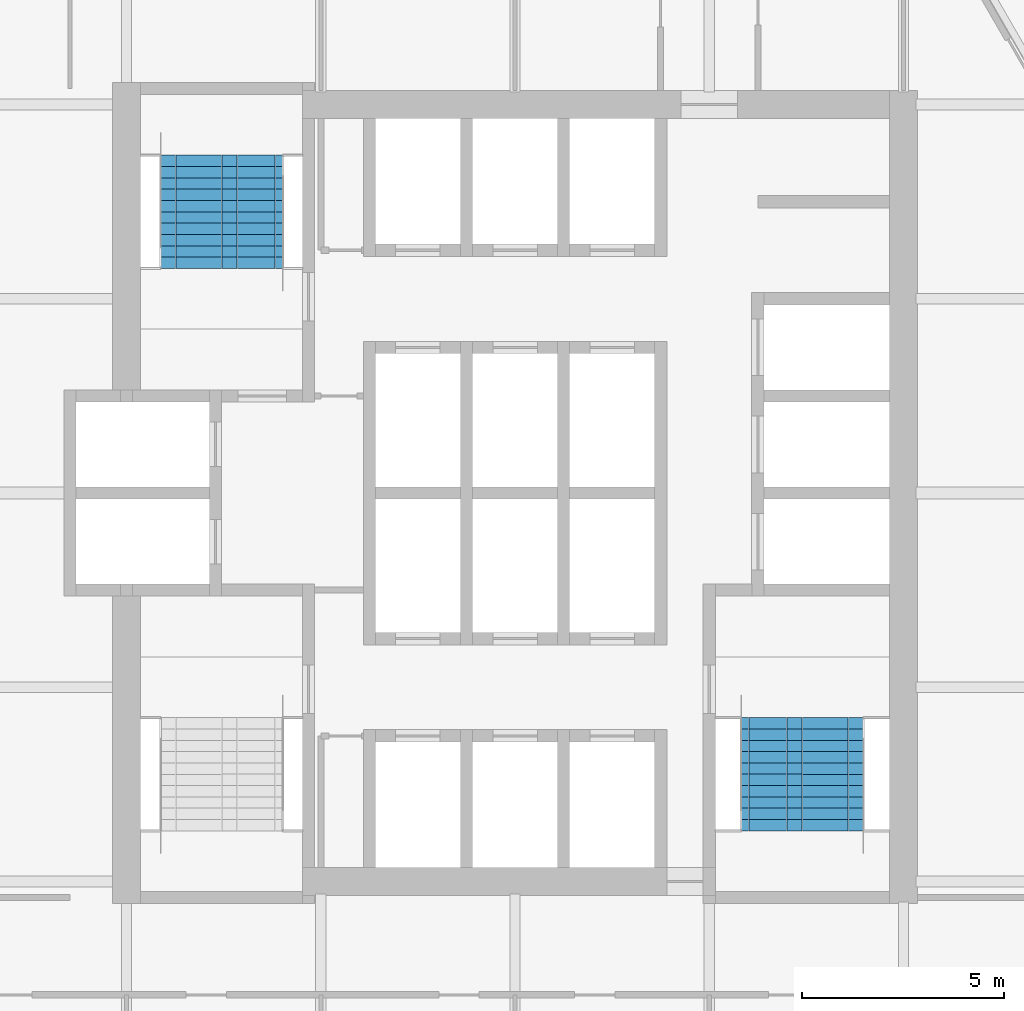
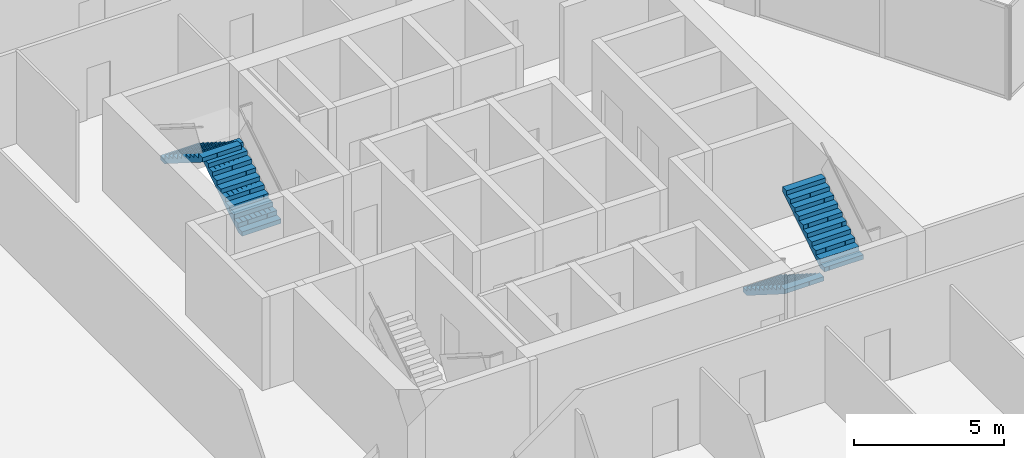
# One storey, part 15 of 17: 4 stair flights, 2 elements without a shape of their own.
"""IFC4 building model written with IfcOpenShell, lengths in metres."""

from ifc_helpers import new_model, si_unit, direction, frame, origin, place, context, subcontext, project, spatial, polyline, outline, extrude, material, type_object, element, aggregate, save


model = new_model("IFC4")

# Units and contexts
model_context = context("Model", 3, precision=1e-05, world=origin(), true_north=direction((0.0, 1.0)))
body_context = subcontext(model_context, "Body", "Model", "MODEL_VIEW")
ifc_project = project(units=[si_unit("LENGTHUNIT", "METRE"), si_unit("AREAUNIT", "SQUARE_METRE"), si_unit("VOLUMEUNIT", "CUBIC_METRE"), si_unit("PLANEANGLEUNIT", "RADIAN"), si_unit("MASSUNIT", "GRAM", prefix="KILO")], contexts=[model_context])

# Site, building, storey
site_placement = place(None, origin())
site = spatial("IfcSite", under=ifc_project, at=site_placement, CompositionType="ELEMENT")
building_placement = place(site_placement, origin())
building = spatial("IfcBuilding", under=site, at=building_placement, Name="Kolab Exchange Tower", CompositionType="ELEMENT")
storey_placement = place(building_placement, frame((0.0, 0.0, 181.699951171875)))
storey = spatial("IfcBuildingStorey", under=building, at=storey_placement, Name="L38", CompositionType="ELEMENT", Elevation=181.699951171875)

# Stair, stair flights
ifc_material = material(Name="Concrete C50/60", Category="concrete")
stair_type_1 = type_object("IfcStairType", Name="STAIR ST1 RISER 177.3", PredefinedType="HALF_TURN_STAIR", material=ifc_material)
stair_1_placement = place(storey_placement, origin())
stair_1 = element("IfcStair", 1, at=stair_1_placement, inside=storey, type_object=stair_type_1, Name="Stair 1", PredefinedType="HALF_TURN_STAIR")
stair_flight_type = type_object("IfcStairFlightType", Name="STAIR FLIGHT 1500 RISER 177.3", PredefinedType="STRAIGHT", material=ifc_material)
stair_flight_1_placement = place(storey_placement, frame((-6.489990234375, 5.550048828125, 0.0), z_axis=(0.0, 0.0, 1.0), x_axis=(0.0, 1.0, 0.0)))
stair_flight_1 = element("IfcStairFlight", 2, at=stair_flight_1_placement, type_object=stair_flight_type, Name="ST1 flight 1", NumberOfRisers=11, NumberOfTreads=10, PredefinedType="STRAIGHT", RiserHeight=0.177272727, TreadLength=0.28, context=body_context, shape_type="SweptSolid", body=[
    extrude(outline(polyline([(0.0, 0.0), (0.0, 0.17724609375), (0.280029296875, 0.17724609375), (0.280029296875, 0.3544921875), (0.56005859375, 0.3544921875), (0.56005859375, 0.53173828125), (0.840087890625, 0.53173828125), (0.840087890625, 0.708984375), (1.1201171875, 0.708984375), (1.1201171875, 0.886474609375), (1.39990234375, 0.886474609375), (1.39990234375, 1.063720703125), (1.679931640625, 1.063720703125), (1.679931640625, 1.240966796875), (1.9599609375, 1.240966796875), (1.9599609375, 1.418212890625), (2.239990234375, 1.418212890625), (2.239990234375, 1.595458984375), (2.52001953125, 1.595458984375), (2.52001953125, 1.772705078125), (2.800048828125, 1.772705078125), (2.800048828125, 1.949951171875), (2.800048828125, 1.59521484375), (0.2802734375, 0.0), (0.0, 0.0)])), frame((0.0, 0.75, 0.0), z_axis=(0.0, -1.0, 0.0), x_axis=(1.0, 0.0, 0.0)), (0.0, 0.0, 1.0), 0.185791015625),
    extrude(outline(polyline([(0.0, 0.0), (0.0, 0.17724609375), (0.280029296875, 0.17724609375), (0.280029296875, 0.3544921875), (0.56005859375, 0.3544921875), (0.56005859375, 0.53173828125), (0.840087890625, 0.53173828125), (0.840087890625, 0.708984375), (1.1201171875, 0.708984375), (1.1201171875, 0.886474609375), (1.39990234375, 0.886474609375), (1.39990234375, 1.063720703125), (1.679931640625, 1.063720703125), (1.679931640625, 1.240966796875), (1.9599609375, 1.240966796875), (1.9599609375, 1.418212890625), (2.239990234375, 1.418212890625), (2.239990234375, 1.595458984375), (2.52001953125, 1.595458984375), (2.52001953125, 1.772705078125), (2.800048828125, 1.772705078125), (2.800048828125, 1.949951171875), (2.800048828125, 1.59521484375), (0.2802734375, 0.0), (0.0, 0.0)])), frame((0.0, 0.562255859375, 0.0), z_axis=(0.0, -1.0, 0.0), x_axis=(1.0, 0.0, 0.0)), (0.0, 0.0, 1.0), 0.185791015625),
    extrude(outline(polyline([(0.0, 0.0), (0.0, 0.17724609375), (0.280029296875, 0.17724609375), (0.280029296875, 0.3544921875), (0.56005859375, 0.3544921875), (0.56005859375, 0.53173828125), (0.840087890625, 0.53173828125), (0.840087890625, 0.708984375), (1.1201171875, 0.708984375), (1.1201171875, 0.886474609375), (1.39990234375, 0.886474609375), (1.39990234375, 1.063720703125), (1.679931640625, 1.063720703125), (1.679931640625, 1.240966796875), (1.9599609375, 1.240966796875), (1.9599609375, 1.418212890625), (2.239990234375, 1.418212890625), (2.239990234375, 1.595458984375), (2.52001953125, 1.595458984375), (2.52001953125, 1.772705078125), (2.800048828125, 1.772705078125), (2.800048828125, 1.949951171875), (2.800048828125, 1.59521484375), (0.2802734375, 0.0), (0.0, 0.0)])), frame((0.0, 0.37451171875, 0.0), z_axis=(0.0, -1.0, 0.0), x_axis=(1.0, 0.0, 0.0)), (0.0, 0.0, 1.0), 0.185791015625),
    extrude(outline(polyline([(0.0, 0.0), (0.0, 0.17724609375), (0.280029296875, 0.17724609375), (0.280029296875, 0.3544921875), (0.56005859375, 0.3544921875), (0.56005859375, 0.53173828125), (0.840087890625, 0.53173828125), (0.840087890625, 0.708984375), (1.1201171875, 0.708984375), (1.1201171875, 0.886474609375), (1.39990234375, 0.886474609375), (1.39990234375, 1.063720703125), (1.679931640625, 1.063720703125), (1.679931640625, 1.240966796875), (1.9599609375, 1.240966796875), (1.9599609375, 1.418212890625), (2.239990234375, 1.418212890625), (2.239990234375, 1.595458984375), (2.52001953125, 1.595458984375), (2.52001953125, 1.772705078125), (2.800048828125, 1.772705078125), (2.800048828125, 1.949951171875), (2.800048828125, 1.59521484375), (0.2802734375, 0.0), (0.0, 0.0)])), frame((0.0, 0.186767578125, 0.0), z_axis=(0.0, -1.0, 0.0), x_axis=(1.0, 0.0, 0.0)), (0.0, 0.0, 1.0), 0.185791015625),
    extrude(outline(polyline([(0.0, 0.0), (0.0, 0.17724609375), (0.280029296875, 0.17724609375), (0.280029296875, 0.3544921875), (0.56005859375, 0.3544921875), (0.56005859375, 0.53173828125), (0.840087890625, 0.53173828125), (0.840087890625, 0.708984375), (1.1201171875, 0.708984375), (1.1201171875, 0.886474609375), (1.39990234375, 0.886474609375), (1.39990234375, 1.063720703125), (1.679931640625, 1.063720703125), (1.679931640625, 1.240966796875), (1.9599609375, 1.240966796875), (1.9599609375, 1.418212890625), (2.239990234375, 1.418212890625), (2.239990234375, 1.595458984375), (2.52001953125, 1.595458984375), (2.52001953125, 1.772705078125), (2.800048828125, 1.772705078125), (2.800048828125, 1.949951171875), (2.800048828125, 1.59521484375), (0.2802734375, 0.0), (0.0, 0.0)])), frame((0.0, -0.0009765625, 0.0), z_axis=(0.0, -1.0, 0.0), x_axis=(1.0, 0.0, 0.0)), (0.0, 0.0, 1.0), 0.185791015625),
    extrude(outline(polyline([(0.0, 0.0), (0.0, 0.17724609375), (0.280029296875, 0.17724609375), (0.280029296875, 0.3544921875), (0.56005859375, 0.3544921875), (0.56005859375, 0.53173828125), (0.840087890625, 0.53173828125), (0.840087890625, 0.708984375), (1.1201171875, 0.708984375), (1.1201171875, 0.886474609375), (1.39990234375, 0.886474609375), (1.39990234375, 1.063720703125), (1.679931640625, 1.063720703125), (1.679931640625, 1.240966796875), (1.9599609375, 1.240966796875), (1.9599609375, 1.418212890625), (2.239990234375, 1.418212890625), (2.239990234375, 1.595458984375), (2.52001953125, 1.595458984375), (2.52001953125, 1.772705078125), (2.800048828125, 1.772705078125), (2.800048828125, 1.949951171875), (2.800048828125, 1.59521484375), (0.2802734375, 0.0), (0.0, 0.0)])), frame((0.0, -0.188720703125, 0.0), z_axis=(0.0, -1.0, 0.0), x_axis=(1.0, 0.0, 0.0)), (0.0, 0.0, 1.0), 0.185791015625),
    extrude(outline(polyline([(0.0, 0.0), (0.0, 0.17724609375), (0.280029296875, 0.17724609375), (0.280029296875, 0.3544921875), (0.56005859375, 0.3544921875), (0.56005859375, 0.53173828125), (0.840087890625, 0.53173828125), (0.840087890625, 0.708984375), (1.1201171875, 0.708984375), (1.1201171875, 0.886474609375), (1.39990234375, 0.886474609375), (1.39990234375, 1.063720703125), (1.679931640625, 1.063720703125), (1.679931640625, 1.240966796875), (1.9599609375, 1.240966796875), (1.9599609375, 1.418212890625), (2.239990234375, 1.418212890625), (2.239990234375, 1.595458984375), (2.52001953125, 1.595458984375), (2.52001953125, 1.772705078125), (2.800048828125, 1.772705078125), (2.800048828125, 1.949951171875), (2.800048828125, 1.59521484375), (0.2802734375, 0.0), (0.0, 0.0)])), frame((0.0, -0.37646484375, 0.0), z_axis=(0.0, -1.0, 0.0), x_axis=(1.0, 0.0, 0.0)), (0.0, 0.0, 1.0), 0.185791015625),
    extrude(outline(polyline([(0.0, 0.0), (0.0, 0.17724609375), (0.280029296875, 0.17724609375), (0.280029296875, 0.3544921875), (0.56005859375, 0.3544921875), (0.56005859375, 0.53173828125), (0.840087890625, 0.53173828125), (0.840087890625, 0.708984375), (1.1201171875, 0.708984375), (1.1201171875, 0.886474609375), (1.39990234375, 0.886474609375), (1.39990234375, 1.063720703125), (1.679931640625, 1.063720703125), (1.679931640625, 1.240966796875), (1.9599609375, 1.240966796875), (1.9599609375, 1.418212890625), (2.239990234375, 1.418212890625), (2.239990234375, 1.595458984375), (2.52001953125, 1.595458984375), (2.52001953125, 1.772705078125), (2.800048828125, 1.772705078125), (2.800048828125, 1.949951171875), (2.800048828125, 1.59521484375), (0.2802734375, 0.0), (0.0, 0.0)])), frame((0.0, -0.564208984375, 0.0), z_axis=(0.0, -1.0, 0.0), x_axis=(1.0, 0.0, 0.0)), (0.0, 0.0, 1.0), 0.185791015625),
])
stair_flight_2_placement = place(storey_placement, frame((-8.010009765625, 8.35009765625, 1.949951171875), z_axis=(0.0, 0.0, 1.0), x_axis=(0.0, -1.0, 0.0)))
stair_flight_2 = element("IfcStairFlight", 3, at=stair_flight_2_placement, type_object=stair_flight_type, Name="ST1 flight 2", NumberOfRisers=11, NumberOfTreads=10, PredefinedType="STRAIGHT", RiserHeight=0.177272727, TreadLength=0.28, context=body_context, shape_type="SweptSolid", body=[
    extrude(outline(polyline([(0.0, 0.0), (0.0, 0.17724609375), (0.280029296875, 0.17724609375), (0.280029296875, 0.3544921875), (0.56005859375, 0.3544921875), (0.56005859375, 0.53173828125), (0.840087890625, 0.53173828125), (0.840087890625, 0.708984375), (1.1201171875, 0.708984375), (1.1201171875, 0.886474609375), (1.39990234375, 0.886474609375), (1.39990234375, 1.063720703125), (1.679931640625, 1.063720703125), (1.679931640625, 1.240966796875), (1.9599609375, 1.240966796875), (1.9599609375, 1.418212890625), (2.239990234375, 1.418212890625), (2.239990234375, 1.595458984375), (2.52001953125, 1.595458984375), (2.52001953125, 1.772705078125), (2.800048828125, 1.772705078125), (2.800048828125, 1.949951171875), (2.800048828125, 1.59521484375), (0.2802734375, 0.0), (0.0, 0.0)])), frame((0.0, 0.75, 0.0), z_axis=(0.0, -1.0, 0.0), x_axis=(1.0, 0.0, 0.0)), (0.0, 0.0, 1.0), 0.185791015625),
    extrude(outline(polyline([(0.0, 0.0), (0.0, 0.17724609375), (0.280029296875, 0.17724609375), (0.280029296875, 0.3544921875), (0.56005859375, 0.3544921875), (0.56005859375, 0.53173828125), (0.840087890625, 0.53173828125), (0.840087890625, 0.708984375), (1.1201171875, 0.708984375), (1.1201171875, 0.886474609375), (1.39990234375, 0.886474609375), (1.39990234375, 1.063720703125), (1.679931640625, 1.063720703125), (1.679931640625, 1.240966796875), (1.9599609375, 1.240966796875), (1.9599609375, 1.418212890625), (2.239990234375, 1.418212890625), (2.239990234375, 1.595458984375), (2.52001953125, 1.595458984375), (2.52001953125, 1.772705078125), (2.800048828125, 1.772705078125), (2.800048828125, 1.949951171875), (2.800048828125, 1.59521484375), (0.2802734375, 0.0), (0.0, 0.0)])), frame((0.0, 0.562255859375, 0.0), z_axis=(0.0, -1.0, 0.0), x_axis=(1.0, 0.0, 0.0)), (0.0, 0.0, 1.0), 0.185791015625),
    extrude(outline(polyline([(0.0, 0.0), (0.0, 0.17724609375), (0.280029296875, 0.17724609375), (0.280029296875, 0.3544921875), (0.56005859375, 0.3544921875), (0.56005859375, 0.53173828125), (0.840087890625, 0.53173828125), (0.840087890625, 0.708984375), (1.1201171875, 0.708984375), (1.1201171875, 0.886474609375), (1.39990234375, 0.886474609375), (1.39990234375, 1.063720703125), (1.679931640625, 1.063720703125), (1.679931640625, 1.240966796875), (1.9599609375, 1.240966796875), (1.9599609375, 1.418212890625), (2.239990234375, 1.418212890625), (2.239990234375, 1.595458984375), (2.52001953125, 1.595458984375), (2.52001953125, 1.772705078125), (2.800048828125, 1.772705078125), (2.800048828125, 1.949951171875), (2.800048828125, 1.59521484375), (0.2802734375, 0.0), (0.0, 0.0)])), frame((0.0, 0.37451171875, 0.0), z_axis=(0.0, -1.0, 0.0), x_axis=(1.0, 0.0, 0.0)), (0.0, 0.0, 1.0), 0.185791015625),
    extrude(outline(polyline([(0.0, 0.0), (0.0, 0.17724609375), (0.280029296875, 0.17724609375), (0.280029296875, 0.3544921875), (0.56005859375, 0.3544921875), (0.56005859375, 0.53173828125), (0.840087890625, 0.53173828125), (0.840087890625, 0.708984375), (1.1201171875, 0.708984375), (1.1201171875, 0.886474609375), (1.39990234375, 0.886474609375), (1.39990234375, 1.063720703125), (1.679931640625, 1.063720703125), (1.679931640625, 1.240966796875), (1.9599609375, 1.240966796875), (1.9599609375, 1.418212890625), (2.239990234375, 1.418212890625), (2.239990234375, 1.595458984375), (2.52001953125, 1.595458984375), (2.52001953125, 1.772705078125), (2.800048828125, 1.772705078125), (2.800048828125, 1.949951171875), (2.800048828125, 1.59521484375), (0.2802734375, 0.0), (0.0, 0.0)])), frame((0.0, 0.186767578125, 0.0), z_axis=(0.0, -1.0, 0.0), x_axis=(1.0, 0.0, 0.0)), (0.0, 0.0, 1.0), 0.185791015625),
    extrude(outline(polyline([(0.0, 0.0), (0.0, 0.17724609375), (0.280029296875, 0.17724609375), (0.280029296875, 0.3544921875), (0.56005859375, 0.3544921875), (0.56005859375, 0.53173828125), (0.840087890625, 0.53173828125), (0.840087890625, 0.708984375), (1.1201171875, 0.708984375), (1.1201171875, 0.886474609375), (1.39990234375, 0.886474609375), (1.39990234375, 1.063720703125), (1.679931640625, 1.063720703125), (1.679931640625, 1.240966796875), (1.9599609375, 1.240966796875), (1.9599609375, 1.418212890625), (2.239990234375, 1.418212890625), (2.239990234375, 1.595458984375), (2.52001953125, 1.595458984375), (2.52001953125, 1.772705078125), (2.800048828125, 1.772705078125), (2.800048828125, 1.949951171875), (2.800048828125, 1.59521484375), (0.2802734375, 0.0), (0.0, 0.0)])), frame((0.0, -0.0009765625, 0.0), z_axis=(0.0, -1.0, 0.0), x_axis=(1.0, 0.0, 0.0)), (0.0, 0.0, 1.0), 0.185791015625),
    extrude(outline(polyline([(0.0, 0.0), (0.0, 0.17724609375), (0.280029296875, 0.17724609375), (0.280029296875, 0.3544921875), (0.56005859375, 0.3544921875), (0.56005859375, 0.53173828125), (0.840087890625, 0.53173828125), (0.840087890625, 0.708984375), (1.1201171875, 0.708984375), (1.1201171875, 0.886474609375), (1.39990234375, 0.886474609375), (1.39990234375, 1.063720703125), (1.679931640625, 1.063720703125), (1.679931640625, 1.240966796875), (1.9599609375, 1.240966796875), (1.9599609375, 1.418212890625), (2.239990234375, 1.418212890625), (2.239990234375, 1.595458984375), (2.52001953125, 1.595458984375), (2.52001953125, 1.772705078125), (2.800048828125, 1.772705078125), (2.800048828125, 1.949951171875), (2.800048828125, 1.59521484375), (0.2802734375, 0.0), (0.0, 0.0)])), frame((0.0, -0.188720703125, 0.0), z_axis=(0.0, -1.0, 0.0), x_axis=(1.0, 0.0, 0.0)), (0.0, 0.0, 1.0), 0.185791015625),
    extrude(outline(polyline([(0.0, 0.0), (0.0, 0.17724609375), (0.280029296875, 0.17724609375), (0.280029296875, 0.3544921875), (0.56005859375, 0.3544921875), (0.56005859375, 0.53173828125), (0.840087890625, 0.53173828125), (0.840087890625, 0.708984375), (1.1201171875, 0.708984375), (1.1201171875, 0.886474609375), (1.39990234375, 0.886474609375), (1.39990234375, 1.063720703125), (1.679931640625, 1.063720703125), (1.679931640625, 1.240966796875), (1.9599609375, 1.240966796875), (1.9599609375, 1.418212890625), (2.239990234375, 1.418212890625), (2.239990234375, 1.595458984375), (2.52001953125, 1.595458984375), (2.52001953125, 1.772705078125), (2.800048828125, 1.772705078125), (2.800048828125, 1.949951171875), (2.800048828125, 1.59521484375), (0.2802734375, 0.0), (0.0, 0.0)])), frame((0.0, -0.37646484375, 0.0), z_axis=(0.0, -1.0, 0.0), x_axis=(1.0, 0.0, 0.0)), (0.0, 0.0, 1.0), 0.185791015625),
    extrude(outline(polyline([(0.0, 0.0), (0.0, 0.17724609375), (0.280029296875, 0.17724609375), (0.280029296875, 0.3544921875), (0.56005859375, 0.3544921875), (0.56005859375, 0.53173828125), (0.840087890625, 0.53173828125), (0.840087890625, 0.708984375), (1.1201171875, 0.708984375), (1.1201171875, 0.886474609375), (1.39990234375, 0.886474609375), (1.39990234375, 1.063720703125), (1.679931640625, 1.063720703125), (1.679931640625, 1.240966796875), (1.9599609375, 1.240966796875), (1.9599609375, 1.418212890625), (2.239990234375, 1.418212890625), (2.239990234375, 1.595458984375), (2.52001953125, 1.595458984375), (2.52001953125, 1.772705078125), (2.800048828125, 1.772705078125), (2.800048828125, 1.949951171875), (2.800048828125, 1.59521484375), (0.2802734375, 0.0), (0.0, 0.0)])), frame((0.0, -0.564208984375, 0.0), z_axis=(0.0, -1.0, 0.0), x_axis=(1.0, 0.0, 0.0)), (0.0, 0.0, 1.0), 0.185791015625),
])
aggregate(stair_1, [stair_flight_1, stair_flight_2])

stair_type_2 = type_object("IfcStairType", Name="STAIR ST2 RISER 177.3", PredefinedType="HALF_TURN_STAIR", material=ifc_material)
stair_2_placement = place(storey_placement, origin())
stair_2 = element("IfcStair", 4, at=stair_2_placement, inside=storey, type_object=stair_type_2, Name="Stair 2", PredefinedType="HALF_TURN_STAIR")
stair_flight_3_placement = place(storey_placement, frame((6.340087890625, -5.550048828125, 0.0), z_axis=(0.0, 0.0, 1.0), x_axis=(0.0, -1.0, 0.0)))
stair_flight_3 = element("IfcStairFlight", 5, at=stair_flight_3_placement, type_object=stair_flight_type, Name="ST2 flight 1", NumberOfRisers=11, NumberOfTreads=10, PredefinedType="STRAIGHT", RiserHeight=0.177272727, TreadLength=0.28, context=body_context, shape_type="SweptSolid", body=[
    extrude(outline(polyline([(0.0, 0.0), (0.0, 0.17724609375), (0.280029296875, 0.17724609375), (0.280029296875, 0.3544921875), (0.56005859375, 0.3544921875), (0.56005859375, 0.53173828125), (0.840087890625, 0.53173828125), (0.840087890625, 0.708984375), (1.1201171875, 0.708984375), (1.1201171875, 0.886474609375), (1.39990234375, 0.886474609375), (1.39990234375, 1.063720703125), (1.679931640625, 1.063720703125), (1.679931640625, 1.240966796875), (1.9599609375, 1.240966796875), (1.9599609375, 1.418212890625), (2.239990234375, 1.418212890625), (2.239990234375, 1.595458984375), (2.52001953125, 1.595458984375), (2.52001953125, 1.772705078125), (2.800048828125, 1.772705078125), (2.800048828125, 1.949951171875), (2.800048828125, 1.59521484375), (0.2802734375, 0.0), (0.0, 0.0)])), frame((0.0, 0.75, 0.0), z_axis=(0.0, -1.0, 0.0), x_axis=(1.0, 0.0, 0.0)), (0.0, 0.0, 1.0), 0.185791015625),
    extrude(outline(polyline([(0.0, 0.0), (0.0, 0.17724609375), (0.280029296875, 0.17724609375), (0.280029296875, 0.3544921875), (0.56005859375, 0.3544921875), (0.56005859375, 0.53173828125), (0.840087890625, 0.53173828125), (0.840087890625, 0.708984375), (1.1201171875, 0.708984375), (1.1201171875, 0.886474609375), (1.39990234375, 0.886474609375), (1.39990234375, 1.063720703125), (1.679931640625, 1.063720703125), (1.679931640625, 1.240966796875), (1.9599609375, 1.240966796875), (1.9599609375, 1.418212890625), (2.239990234375, 1.418212890625), (2.239990234375, 1.595458984375), (2.52001953125, 1.595458984375), (2.52001953125, 1.772705078125), (2.800048828125, 1.772705078125), (2.800048828125, 1.949951171875), (2.800048828125, 1.59521484375), (0.2802734375, 0.0), (0.0, 0.0)])), frame((0.0, 0.562255859375, 0.0), z_axis=(0.0, -1.0, 0.0), x_axis=(1.0, 0.0, 0.0)), (0.0, 0.0, 1.0), 0.185791015625),
    extrude(outline(polyline([(0.0, 0.0), (0.0, 0.17724609375), (0.280029296875, 0.17724609375), (0.280029296875, 0.3544921875), (0.56005859375, 0.3544921875), (0.56005859375, 0.53173828125), (0.840087890625, 0.53173828125), (0.840087890625, 0.708984375), (1.1201171875, 0.708984375), (1.1201171875, 0.886474609375), (1.39990234375, 0.886474609375), (1.39990234375, 1.063720703125), (1.679931640625, 1.063720703125), (1.679931640625, 1.240966796875), (1.9599609375, 1.240966796875), (1.9599609375, 1.418212890625), (2.239990234375, 1.418212890625), (2.239990234375, 1.595458984375), (2.52001953125, 1.595458984375), (2.52001953125, 1.772705078125), (2.800048828125, 1.772705078125), (2.800048828125, 1.949951171875), (2.800048828125, 1.59521484375), (0.2802734375, 0.0), (0.0, 0.0)])), frame((0.0, 0.37451171875, 0.0), z_axis=(0.0, -1.0, 0.0), x_axis=(1.0, 0.0, 0.0)), (0.0, 0.0, 1.0), 0.185791015625),
    extrude(outline(polyline([(0.0, 0.0), (0.0, 0.17724609375), (0.280029296875, 0.17724609375), (0.280029296875, 0.3544921875), (0.56005859375, 0.3544921875), (0.56005859375, 0.53173828125), (0.840087890625, 0.53173828125), (0.840087890625, 0.708984375), (1.1201171875, 0.708984375), (1.1201171875, 0.886474609375), (1.39990234375, 0.886474609375), (1.39990234375, 1.063720703125), (1.679931640625, 1.063720703125), (1.679931640625, 1.240966796875), (1.9599609375, 1.240966796875), (1.9599609375, 1.418212890625), (2.239990234375, 1.418212890625), (2.239990234375, 1.595458984375), (2.52001953125, 1.595458984375), (2.52001953125, 1.772705078125), (2.800048828125, 1.772705078125), (2.800048828125, 1.949951171875), (2.800048828125, 1.59521484375), (0.2802734375, 0.0), (0.0, 0.0)])), frame((0.0, 0.186767578125, 0.0), z_axis=(0.0, -1.0, 0.0), x_axis=(1.0, 0.0, 0.0)), (0.0, 0.0, 1.0), 0.185791015625),
    extrude(outline(polyline([(0.0, 0.0), (0.0, 0.17724609375), (0.280029296875, 0.17724609375), (0.280029296875, 0.3544921875), (0.56005859375, 0.3544921875), (0.56005859375, 0.53173828125), (0.840087890625, 0.53173828125), (0.840087890625, 0.708984375), (1.1201171875, 0.708984375), (1.1201171875, 0.886474609375), (1.39990234375, 0.886474609375), (1.39990234375, 1.063720703125), (1.679931640625, 1.063720703125), (1.679931640625, 1.240966796875), (1.9599609375, 1.240966796875), (1.9599609375, 1.418212890625), (2.239990234375, 1.418212890625), (2.239990234375, 1.595458984375), (2.52001953125, 1.595458984375), (2.52001953125, 1.772705078125), (2.800048828125, 1.772705078125), (2.800048828125, 1.949951171875), (2.800048828125, 1.59521484375), (0.2802734375, 0.0), (0.0, 0.0)])), frame((0.0, -0.0009765625, 0.0), z_axis=(0.0, -1.0, 0.0), x_axis=(1.0, 0.0, 0.0)), (0.0, 0.0, 1.0), 0.185791015625),
    extrude(outline(polyline([(0.0, 0.0), (0.0, 0.17724609375), (0.280029296875, 0.17724609375), (0.280029296875, 0.3544921875), (0.56005859375, 0.3544921875), (0.56005859375, 0.53173828125), (0.840087890625, 0.53173828125), (0.840087890625, 0.708984375), (1.1201171875, 0.708984375), (1.1201171875, 0.886474609375), (1.39990234375, 0.886474609375), (1.39990234375, 1.063720703125), (1.679931640625, 1.063720703125), (1.679931640625, 1.240966796875), (1.9599609375, 1.240966796875), (1.9599609375, 1.418212890625), (2.239990234375, 1.418212890625), (2.239990234375, 1.595458984375), (2.52001953125, 1.595458984375), (2.52001953125, 1.772705078125), (2.800048828125, 1.772705078125), (2.800048828125, 1.949951171875), (2.800048828125, 1.59521484375), (0.2802734375, 0.0), (0.0, 0.0)])), frame((0.0, -0.188720703125, 0.0), z_axis=(0.0, -1.0, 0.0), x_axis=(1.0, 0.0, 0.0)), (0.0, 0.0, 1.0), 0.185791015625),
    extrude(outline(polyline([(0.0, 0.0), (0.0, 0.17724609375), (0.280029296875, 0.17724609375), (0.280029296875, 0.3544921875), (0.56005859375, 0.3544921875), (0.56005859375, 0.53173828125), (0.840087890625, 0.53173828125), (0.840087890625, 0.708984375), (1.1201171875, 0.708984375), (1.1201171875, 0.886474609375), (1.39990234375, 0.886474609375), (1.39990234375, 1.063720703125), (1.679931640625, 1.063720703125), (1.679931640625, 1.240966796875), (1.9599609375, 1.240966796875), (1.9599609375, 1.418212890625), (2.239990234375, 1.418212890625), (2.239990234375, 1.595458984375), (2.52001953125, 1.595458984375), (2.52001953125, 1.772705078125), (2.800048828125, 1.772705078125), (2.800048828125, 1.949951171875), (2.800048828125, 1.59521484375), (0.2802734375, 0.0), (0.0, 0.0)])), frame((0.0, -0.37646484375, 0.0), z_axis=(0.0, -1.0, 0.0), x_axis=(1.0, 0.0, 0.0)), (0.0, 0.0, 1.0), 0.185791015625),
    extrude(outline(polyline([(0.0, 0.0), (0.0, 0.17724609375), (0.280029296875, 0.17724609375), (0.280029296875, 0.3544921875), (0.56005859375, 0.3544921875), (0.56005859375, 0.53173828125), (0.840087890625, 0.53173828125), (0.840087890625, 0.708984375), (1.1201171875, 0.708984375), (1.1201171875, 0.886474609375), (1.39990234375, 0.886474609375), (1.39990234375, 1.063720703125), (1.679931640625, 1.063720703125), (1.679931640625, 1.240966796875), (1.9599609375, 1.240966796875), (1.9599609375, 1.418212890625), (2.239990234375, 1.418212890625), (2.239990234375, 1.595458984375), (2.52001953125, 1.595458984375), (2.52001953125, 1.772705078125), (2.800048828125, 1.772705078125), (2.800048828125, 1.949951171875), (2.800048828125, 1.59521484375), (0.2802734375, 0.0), (0.0, 0.0)])), frame((0.0, -0.564208984375, 0.0), z_axis=(0.0, -1.0, 0.0), x_axis=(1.0, 0.0, 0.0)), (0.0, 0.0, 1.0), 0.185791015625),
])
stair_flight_4_placement = place(storey_placement, frame((7.860107421875, -8.35009765625, 1.949951171875), z_axis=(0.0, 0.0, 1.0), x_axis=(0.0, 1.0, 0.0)))
stair_flight_4 = element("IfcStairFlight", 6, at=stair_flight_4_placement, type_object=stair_flight_type, Name="ST2 flight 2", NumberOfRisers=11, NumberOfTreads=10, PredefinedType="STRAIGHT", RiserHeight=0.177272727, TreadLength=0.28, context=body_context, shape_type="SweptSolid", body=[
    extrude(outline(polyline([(0.0, 0.0), (0.0, 0.17724609375), (0.280029296875, 0.17724609375), (0.280029296875, 0.3544921875), (0.56005859375, 0.3544921875), (0.56005859375, 0.53173828125), (0.840087890625, 0.53173828125), (0.840087890625, 0.708984375), (1.1201171875, 0.708984375), (1.1201171875, 0.886474609375), (1.39990234375, 0.886474609375), (1.39990234375, 1.063720703125), (1.679931640625, 1.063720703125), (1.679931640625, 1.240966796875), (1.9599609375, 1.240966796875), (1.9599609375, 1.418212890625), (2.239990234375, 1.418212890625), (2.239990234375, 1.595458984375), (2.52001953125, 1.595458984375), (2.52001953125, 1.772705078125), (2.800048828125, 1.772705078125), (2.800048828125, 1.949951171875), (2.800048828125, 1.59521484375), (0.2802734375, 0.0), (0.0, 0.0)])), frame((0.0, 0.75, 0.0), z_axis=(0.0, -1.0, 0.0), x_axis=(1.0, 0.0, 0.0)), (0.0, 0.0, 1.0), 0.185791015625),
    extrude(outline(polyline([(0.0, 0.0), (0.0, 0.17724609375), (0.280029296875, 0.17724609375), (0.280029296875, 0.3544921875), (0.56005859375, 0.3544921875), (0.56005859375, 0.53173828125), (0.840087890625, 0.53173828125), (0.840087890625, 0.708984375), (1.1201171875, 0.708984375), (1.1201171875, 0.886474609375), (1.39990234375, 0.886474609375), (1.39990234375, 1.063720703125), (1.679931640625, 1.063720703125), (1.679931640625, 1.240966796875), (1.9599609375, 1.240966796875), (1.9599609375, 1.418212890625), (2.239990234375, 1.418212890625), (2.239990234375, 1.595458984375), (2.52001953125, 1.595458984375), (2.52001953125, 1.772705078125), (2.800048828125, 1.772705078125), (2.800048828125, 1.949951171875), (2.800048828125, 1.59521484375), (0.2802734375, 0.0), (0.0, 0.0)])), frame((0.0, 0.562255859375, 0.0), z_axis=(0.0, -1.0, 0.0), x_axis=(1.0, 0.0, 0.0)), (0.0, 0.0, 1.0), 0.185791015625),
    extrude(outline(polyline([(0.0, 0.0), (0.0, 0.17724609375), (0.280029296875, 0.17724609375), (0.280029296875, 0.3544921875), (0.56005859375, 0.3544921875), (0.56005859375, 0.53173828125), (0.840087890625, 0.53173828125), (0.840087890625, 0.708984375), (1.1201171875, 0.708984375), (1.1201171875, 0.886474609375), (1.39990234375, 0.886474609375), (1.39990234375, 1.063720703125), (1.679931640625, 1.063720703125), (1.679931640625, 1.240966796875), (1.9599609375, 1.240966796875), (1.9599609375, 1.418212890625), (2.239990234375, 1.418212890625), (2.239990234375, 1.595458984375), (2.52001953125, 1.595458984375), (2.52001953125, 1.772705078125), (2.800048828125, 1.772705078125), (2.800048828125, 1.949951171875), (2.800048828125, 1.59521484375), (0.2802734375, 0.0), (0.0, 0.0)])), frame((0.0, 0.37451171875, 0.0), z_axis=(0.0, -1.0, 0.0), x_axis=(1.0, 0.0, 0.0)), (0.0, 0.0, 1.0), 0.185791015625),
    extrude(outline(polyline([(0.0, 0.0), (0.0, 0.17724609375), (0.280029296875, 0.17724609375), (0.280029296875, 0.3544921875), (0.56005859375, 0.3544921875), (0.56005859375, 0.53173828125), (0.840087890625, 0.53173828125), (0.840087890625, 0.708984375), (1.1201171875, 0.708984375), (1.1201171875, 0.886474609375), (1.39990234375, 0.886474609375), (1.39990234375, 1.063720703125), (1.679931640625, 1.063720703125), (1.679931640625, 1.240966796875), (1.9599609375, 1.240966796875), (1.9599609375, 1.418212890625), (2.239990234375, 1.418212890625), (2.239990234375, 1.595458984375), (2.52001953125, 1.595458984375), (2.52001953125, 1.772705078125), (2.800048828125, 1.772705078125), (2.800048828125, 1.949951171875), (2.800048828125, 1.59521484375), (0.2802734375, 0.0), (0.0, 0.0)])), frame((0.0, 0.186767578125, 0.0), z_axis=(0.0, -1.0, 0.0), x_axis=(1.0, 0.0, 0.0)), (0.0, 0.0, 1.0), 0.185791015625),
    extrude(outline(polyline([(0.0, 0.0), (0.0, 0.17724609375), (0.280029296875, 0.17724609375), (0.280029296875, 0.3544921875), (0.56005859375, 0.3544921875), (0.56005859375, 0.53173828125), (0.840087890625, 0.53173828125), (0.840087890625, 0.708984375), (1.1201171875, 0.708984375), (1.1201171875, 0.886474609375), (1.39990234375, 0.886474609375), (1.39990234375, 1.063720703125), (1.679931640625, 1.063720703125), (1.679931640625, 1.240966796875), (1.9599609375, 1.240966796875), (1.9599609375, 1.418212890625), (2.239990234375, 1.418212890625), (2.239990234375, 1.595458984375), (2.52001953125, 1.595458984375), (2.52001953125, 1.772705078125), (2.800048828125, 1.772705078125), (2.800048828125, 1.949951171875), (2.800048828125, 1.59521484375), (0.2802734375, 0.0), (0.0, 0.0)])), frame((0.0, -0.0009765625, 0.0), z_axis=(0.0, -1.0, 0.0), x_axis=(1.0, 0.0, 0.0)), (0.0, 0.0, 1.0), 0.185791015625),
    extrude(outline(polyline([(0.0, 0.0), (0.0, 0.17724609375), (0.280029296875, 0.17724609375), (0.280029296875, 0.3544921875), (0.56005859375, 0.3544921875), (0.56005859375, 0.53173828125), (0.840087890625, 0.53173828125), (0.840087890625, 0.708984375), (1.1201171875, 0.708984375), (1.1201171875, 0.886474609375), (1.39990234375, 0.886474609375), (1.39990234375, 1.063720703125), (1.679931640625, 1.063720703125), (1.679931640625, 1.240966796875), (1.9599609375, 1.240966796875), (1.9599609375, 1.418212890625), (2.239990234375, 1.418212890625), (2.239990234375, 1.595458984375), (2.52001953125, 1.595458984375), (2.52001953125, 1.772705078125), (2.800048828125, 1.772705078125), (2.800048828125, 1.949951171875), (2.800048828125, 1.59521484375), (0.2802734375, 0.0), (0.0, 0.0)])), frame((0.0, -0.188720703125, 0.0), z_axis=(0.0, -1.0, 0.0), x_axis=(1.0, 0.0, 0.0)), (0.0, 0.0, 1.0), 0.185791015625),
    extrude(outline(polyline([(0.0, 0.0), (0.0, 0.17724609375), (0.280029296875, 0.17724609375), (0.280029296875, 0.3544921875), (0.56005859375, 0.3544921875), (0.56005859375, 0.53173828125), (0.840087890625, 0.53173828125), (0.840087890625, 0.708984375), (1.1201171875, 0.708984375), (1.1201171875, 0.886474609375), (1.39990234375, 0.886474609375), (1.39990234375, 1.063720703125), (1.679931640625, 1.063720703125), (1.679931640625, 1.240966796875), (1.9599609375, 1.240966796875), (1.9599609375, 1.418212890625), (2.239990234375, 1.418212890625), (2.239990234375, 1.595458984375), (2.52001953125, 1.595458984375), (2.52001953125, 1.772705078125), (2.800048828125, 1.772705078125), (2.800048828125, 1.949951171875), (2.800048828125, 1.59521484375), (0.2802734375, 0.0), (0.0, 0.0)])), frame((0.0, -0.37646484375, 0.0), z_axis=(0.0, -1.0, 0.0), x_axis=(1.0, 0.0, 0.0)), (0.0, 0.0, 1.0), 0.185791015625),
    extrude(outline(polyline([(0.0, 0.0), (0.0, 0.17724609375), (0.280029296875, 0.17724609375), (0.280029296875, 0.3544921875), (0.56005859375, 0.3544921875), (0.56005859375, 0.53173828125), (0.840087890625, 0.53173828125), (0.840087890625, 0.708984375), (1.1201171875, 0.708984375), (1.1201171875, 0.886474609375), (1.39990234375, 0.886474609375), (1.39990234375, 1.063720703125), (1.679931640625, 1.063720703125), (1.679931640625, 1.240966796875), (1.9599609375, 1.240966796875), (1.9599609375, 1.418212890625), (2.239990234375, 1.418212890625), (2.239990234375, 1.595458984375), (2.52001953125, 1.595458984375), (2.52001953125, 1.772705078125), (2.800048828125, 1.772705078125), (2.800048828125, 1.949951171875), (2.800048828125, 1.59521484375), (0.2802734375, 0.0), (0.0, 0.0)])), frame((0.0, -0.564208984375, 0.0), z_axis=(0.0, -1.0, 0.0), x_axis=(1.0, 0.0, 0.0)), (0.0, 0.0, 1.0), 0.185791015625),
])
aggregate(stair_2, [stair_flight_3, stair_flight_4])

save(model, "model.ifc")
